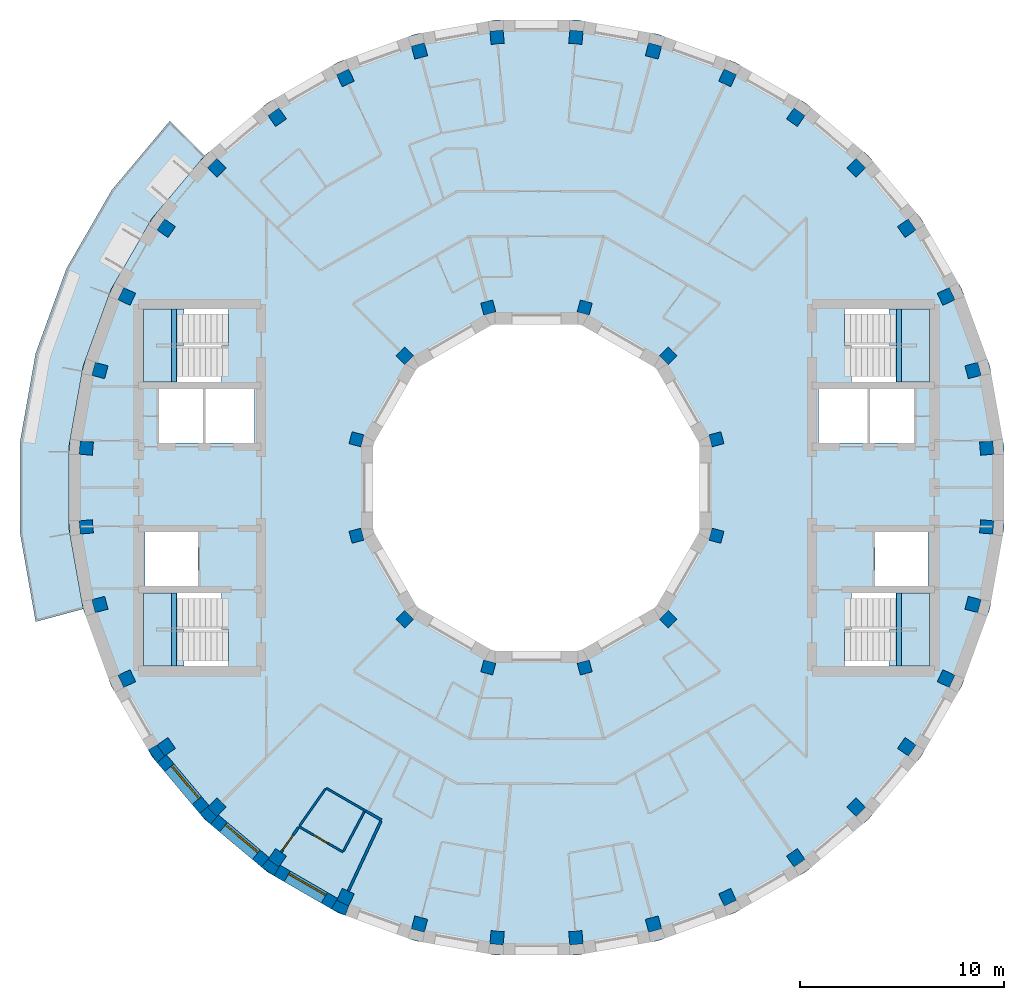
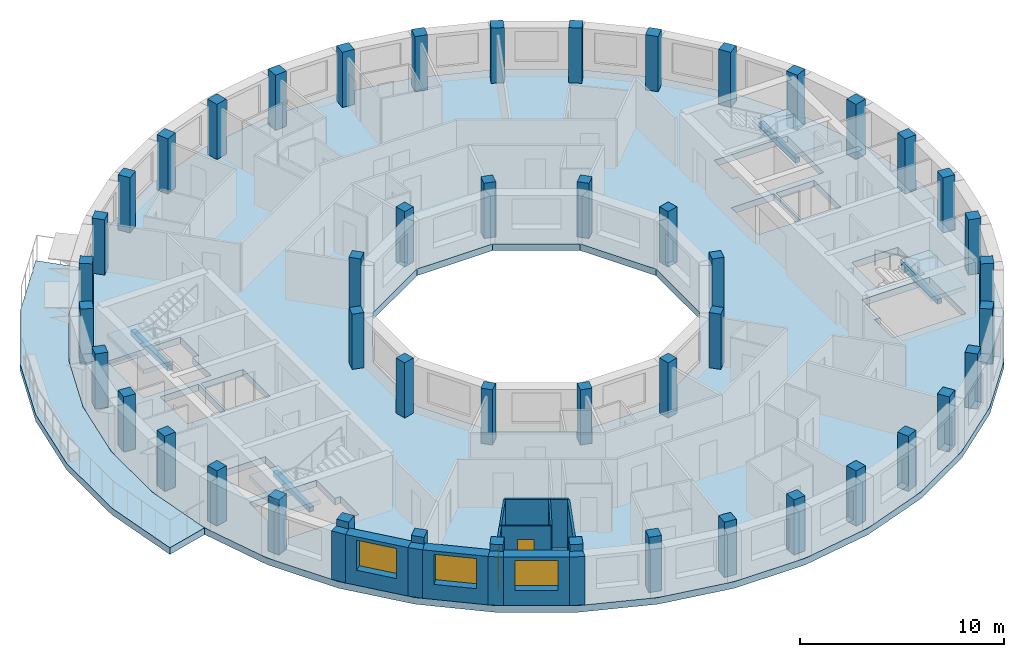
# One storey, part 1 of 10: 48 columns, 14 walls, 6 slabs, 4 beams, 3 windows, 2 doors, 5 openings, 4 elements without a shape of their own.
"""IFC4 building model written with IfcOpenShell, lengths in metres."""

from ifc_helpers import new_model, si_unit, direction, frame, frame_2d, origin, origin_2d, place, context, subcontext, project, spatial, polyline, rectangle, outline, extrude, material, layer, layer_set, material_profile, profile_set, type_object, element, fill, aggregate, save


model = new_model("IFC4")

# Units and contexts
model_context = context("Model", 3, precision=1e-05, world=origin(), true_north=direction((0.0, 1.0)))
body_context = subcontext(model_context, "Body", "Model", "MODEL_VIEW")
ifc_project = project(units=[si_unit("LENGTHUNIT", "METRE"), si_unit("AREAUNIT", "SQUARE_METRE"), si_unit("VOLUMEUNIT", "CUBIC_METRE"), si_unit("PLANEANGLEUNIT", "RADIAN"), si_unit("MASSUNIT", "GRAM", prefix="KILO")], contexts=[model_context])

# Site, building, storey
site_placement = place(None, origin())
site = spatial("IfcSite", under=ifc_project, at=site_placement, CompositionType="ELEMENT")
building_placement = place(site_placement, origin())
building = spatial("IfcBuilding", under=site, at=building_placement, Name="Saqina Gate Tower", CompositionType="ELEMENT")
storey_placement = place(building_placement, frame((0.0, 0.0, 242.89990234375)))
storey = spatial("IfcBuildingStorey", under=building, at=storey_placement, Name="L69", CompositionType="ELEMENT", Elevation=242.89990234375)

# Columns
ifc_material_1 = material(Name="Concrete C60/75", Category="concrete")
ifc_material_profile_1 = material_profile(ifc_material_1, rectangle(XDim=0.60009765625, YDim=0.60009765625, at=origin_2d()), Name="RC 600x600")
ifc_profile_set_1 = profile_set([ifc_material_profile_1], Name="Concrete C60/75")
column_type_1 = type_object("IfcColumnType", Name="STR-COL-IN-D", PredefinedType="COLUMN", material=ifc_profile_set_1)
for number, where, z_axis, x_axis, name in (
    (1, (8.821044921875, 2.363525390625, 0.0), (0.0, 0.0, 1.0), (0.965925826289, 0.258819045103, 0.0), "L69-ICL01"),
    (2, (6.45751953125, 6.45751953125, 0.0), (0.0, 0.0, 1.0), (0.707106781187, 0.707106781187, 0.0), "L69-ICL02"),
    (3, (2.363525390625, 8.821044921875, 0.0), (0.0, 0.0, 1.0), (0.258819045103, 0.965925826289, 0.0), "L69-ICL03"),
    (4, (-2.363525390625, 8.821044921875, 0.0), (0.0, 0.0, 1.0), (-0.258819045103, 0.965925826289, 0.0), "L69-ICL04"),
    (5, (-6.45751953125, 6.45751953125, 0.0), (0.0, 0.0, 1.0), (-0.707106781187, 0.707106781187, 0.0), "L69-ICL05"),
    (6, (-8.821044921875, 2.363525390625, 0.0), (0.0, 0.0, 1.0), (-0.965925826289, 0.258819045103, 0.0), "L69-ICL06"),
    (7, (-8.821044921875, -2.363525390625, 0.0), (0.0, 0.0, 1.0), (-0.965925826289, -0.258819045103, 0.0), "L69-ICL07"),
    (8, (-6.45751953125, -6.45751953125, 0.0), (0.0, 0.0, 1.0), (-0.707106781187, -0.707106781187, 0.0), "L69-ICL08"),
    (9, (-2.363525390625, -8.821044921875, 0.0), (0.0, 0.0, 1.0), (-0.258819045103, -0.965925826289, 0.0), "L69-ICL09"),
    (10, (2.363525390625, -8.821044921875, 0.0), (0.0, 0.0, 1.0), (0.258819045103, -0.965925826289, 0.0), "L69-ICL10"),
    (11, (6.45751953125, -6.45751953125, 0.0), (0.0, 0.0, 1.0), (0.707106781187, -0.707106781187, 0.0), "L69-ICL11"),
    (12, (8.821044921875, -2.363525390625, 0.0), (0.0, 0.0, 1.0), (0.965925826289, -0.258819045103, 0.0), "L69-ICL12"),
):
    element("IfcColumn", number, at=place(storey_placement, frame(where, z_axis=z_axis, x_axis=x_axis)), inside=storey, type_object=column_type_1, Name=name, PredefinedType="COLUMN", context=body_context, shape_type="SweptSolid", body=[
        extrude(rectangle(XDim=0.60009765625, YDim=0.60009765625, at=origin_2d()), origin(), (0.0, 0.0, 1.0), 3.300048828125),
    ])
ifc_material_2 = material(Name="Concrete C60/75", Category="concrete")
ifc_material_profile_2 = material_profile(ifc_material_2, rectangle(XDim=0.64990234375, YDim=0.64990234375, at=origin_2d()), Name="RC 650x650")
ifc_profile_set_2 = profile_set([ifc_material_profile_2], Name="Concrete C60/75")
column_type_2 = type_object("IfcColumnType", Name="STR-COL-OUT-D", PredefinedType="COLUMN", material=ifc_profile_set_2)
for number, where, z_axis, x_axis, name in (
    (13, (22.065673828125, 1.930419921875, 0.0), (0.0, 0.0, 1.0), (0.996194698092, 0.087155742748, 0.0), "L69-COL01"),
    (14, (21.395263671875, 5.73291015625, 0.0), (0.0, 0.0, 1.0), (0.965925826289, 0.258819045103, 0.0), "L69-COL02"),
    (15, (20.07470703125, 9.361083984375, 0.0), (0.0, 0.0, 1.0), (0.906307787037, 0.422618261741, 0.0), "L69-COL03"),
    (16, (18.144287109375, 12.704833984375, 0.0), (0.0, 0.0, 1.0), (0.819152044289, 0.573576436351, 0.0), "L69-COL04"),
    (17, (15.662353515625, 15.662353515625, 0.0), (0.0, 0.0, 1.0), (0.707106781187, 0.707106781187, 0.0), "L69-COL05"),
    (18, (12.704833984375, 18.144287109375, 0.0), (0.0, 0.0, 1.0), (0.573576436351, 0.819152044289, 0.0), "L69-COL06"),
    (19, (9.361083984375, 20.07470703125, 0.0), (0.0, 0.0, 1.0), (0.422618261741, 0.906307787037, 0.0), "L69-COL07"),
    (20, (5.73291015625, 21.395263671875, 0.0), (0.0, 0.0, 1.0), (0.258819045103, 0.965925826289, 0.0), "L69-COL08"),
    (21, (1.930419921875, 22.065673828125, 0.0), (0.0, 0.0, 1.0), (0.087155742748, 0.996194698092, 0.0), "L69-COL09"),
    (22, (-1.930419921875, 22.065673828125, 0.0), (0.0, 0.0, 1.0), (-0.087155742748, 0.996194698092, 0.0), "L69-COL10"),
    (23, (-5.73291015625, 21.395263671875, 0.0), (0.0, 0.0, 1.0), (-0.258819045103, 0.965925826289, 0.0), "L69-COL11"),
    (24, (-9.361083984375, 20.07470703125, 0.0), (0.0, 0.0, 1.0), (-0.422618261741, 0.906307787037, 0.0), "L69-COL12"),
    (25, (-12.704833984375, 18.144287109375, 0.0), (0.0, 0.0, 1.0), (-0.573576436351, 0.819152044289, 0.0), "L69-COL13"),
    (26, (-15.662353515625, 15.662353515625, 0.0), (0.0, 0.0, 1.0), (-0.707106781187, 0.707106781187, 0.0), "L69-COL14"),
    (27, (-18.144287109375, 12.704833984375, 0.0), (0.0, 0.0, 1.0), (-0.819152044289, 0.573576436351, 0.0), "L69-COL15"),
    (28, (-20.07470703125, 9.361083984375, 0.0), (0.0, 0.0, 1.0), (-0.906307787037, 0.422618261741, 0.0), "L69-COL16"),
    (29, (-21.395263671875, 5.73291015625, 0.0), (0.0, 0.0, 1.0), (-0.965925826289, 0.258819045103, 0.0), "L69-COL17"),
    (30, (-22.065673828125, 1.930419921875, 0.0), (0.0, 0.0, 1.0), (-0.996194698092, 0.087155742748, 0.0), "L69-COL18"),
    (31, (-22.065673828125, -1.930419921875, 0.0), (0.0, 0.0, 1.0), (-0.996194698092, -0.087155742748, 0.0), "L69-COL19"),
    (32, (-21.395263671875, -5.73291015625, 0.0), (0.0, 0.0, 1.0), (-0.965925826289, -0.258819045103, 0.0), "L69-COL20"),
    (33, (-20.07470703125, -9.361083984375, 0.0), (0.0, 0.0, 1.0), (-0.906307787037, -0.422618261741, 0.0), "L69-COL21"),
    (34, (-18.144287109375, -12.704833984375, 0.0), (0.0, 0.0, 1.0), (-0.819152044289, -0.573576436351, 0.0), "L69-COL22"),
    (35, (-15.662353515625, -15.662353515625, 0.0), (0.0, 0.0, 1.0), (-0.707106781187, -0.707106781187, 0.0), "L69-COL23"),
    (36, (-12.704833984375, -18.144287109375, 0.0), (0.0, 0.0, 1.0), (-0.573576436351, -0.819152044289, 0.0), "L69-COL24"),
    (37, (-9.361083984375, -20.07470703125, 0.0), (0.0, 0.0, 1.0), (-0.422618261741, -0.906307787037, 0.0), "L69-COL25"),
    (38, (-5.73291015625, -21.395263671875, 0.0), (0.0, 0.0, 1.0), (-0.258819045103, -0.965925826289, 0.0), "L69-COL26"),
    (39, (-1.930419921875, -22.065673828125, 0.0), (0.0, 0.0, 1.0), (-0.087155742748, -0.996194698092, 0.0), "L69-COL27"),
    (40, (1.930419921875, -22.065673828125, 0.0), (0.0, 0.0, 1.0), (0.087155742748, -0.996194698092, 0.0), "L69-COL28"),
    (41, (5.73291015625, -21.395263671875, 0.0), (0.0, 0.0, 1.0), (0.258819045103, -0.965925826289, 0.0), "L69-COL29"),
    (42, (9.361083984375, -20.07470703125, 0.0), (0.0, 0.0, 1.0), (0.422618261741, -0.906307787037, 0.0), "L69-COL30"),
    (43, (12.704833984375, -18.144287109375, 0.0), (0.0, 0.0, 1.0), (0.573576436351, -0.819152044289, 0.0), "L69-COL31"),
    (44, (15.662353515625, -15.662353515625, 0.0), (0.0, 0.0, 1.0), (0.707106781187, -0.707106781187, 0.0), "L69-COL32"),
    (45, (18.144287109375, -12.704833984375, 0.0), (0.0, 0.0, 1.0), (0.819152044289, -0.573576436351, 0.0), "L69-COL33"),
    (46, (20.07470703125, -9.361083984375, 0.0), (0.0, 0.0, 1.0), (0.906307787037, -0.422618261741, 0.0), "L69-COL34"),
    (47, (21.395263671875, -5.73291015625, 0.0), (0.0, 0.0, 1.0), (0.965925826289, -0.258819045103, 0.0), "L69-COL35"),
    (48, (22.065673828125, -1.930419921875, 0.0), (0.0, 0.0, 1.0), (0.996194698092, -0.087155742748, 0.0), "L69-COL36"),
):
    element("IfcColumn", number, at=place(storey_placement, frame(where, z_axis=z_axis, x_axis=x_axis)), inside=storey, type_object=column_type_2, Name=name, PredefinedType="COLUMN", context=body_context, shape_type="SweptSolid", body=[
        extrude(rectangle(XDim=0.64990234375, YDim=0.64990234375, at=origin_2d()), origin(), (0.0, 0.0, 1.0), 3.300048828125),
    ])

# Beams
ifc_material_3 = material(Name="Concrete C40/50", Category="concrete")
ifc_material_profile_3 = material_profile(ifc_material_3, rectangle(XDim=0.25, YDim=0.300048828125, at=origin_2d()), Name="STAIR LANDING BEAM")
ifc_profile_set_3 = profile_set([ifc_material_profile_3], Name="Concrete C40/50")
beam_type = type_object("IfcBeamType", Name="STAIR LANDING BEAM", PredefinedType="BEAM", material=ifc_profile_set_3)
for number, where, z_axis, x_axis, name in (
    (49, (17.77001953125, 5.175048828125, 1.25), (0.0, 1.0, 0.0), (-1.0, 0.0, 0.0), "EXIT STAIR 1 LANDING BEAM"),
    (50, (17.77001953125, -8.75, 1.25), (0.0, 1.0, 0.0), (-1.0, 0.0, 0.0), "EXIT STAIR 2 LANDING BEAM"),
    (51, (-17.77001953125, 5.175048828125, 1.25), (0.0, 1.0, 0.0), (-1.0, 0.0, 0.0), "EXIT STAIR 3 LANDING BEAM"),
    (52, (-17.77001953125, -8.75, 1.25), (0.0, 1.0, 0.0), (-1.0, 0.0, 0.0), "EXIT STAIR 4 LANDING BEAM"),
):
    element("IfcBeam", number, at=place(storey_placement, frame(where, z_axis=z_axis, x_axis=x_axis)), inside=storey, type_object=beam_type, Name=name, PredefinedType="BEAM", context=body_context, shape_type="SweptSolid", body=[
        extrude(rectangle(XDim=0.25, YDim=0.300048828125, at=origin_2d()), origin(), (0.0, 0.0, 1.0), 3.574951171875),
    ])

# Stair, slab
ifc_material_4 = material(Name="Concrete C40/50", Category="concrete")
stair_type = type_object("IfcStairType", Name="EXIT STAIR", PredefinedType="HALF_TURN_STAIR", material=ifc_material_4)
stair_1_placement = place(storey_placement, origin())
stair_1 = element("IfcStair", 53, at=stair_1_placement, inside=storey, type_object=stair_type, Name="EXIT STAIR 1", PredefinedType="HALF_TURN_STAIR")
ifc_material_5 = material(Name="Concrete C40/50", Category="concrete")
ifc_layer_1 = layer(ifc_material_5, 0.25)
ifc_layer_set_1 = layer_set([ifc_layer_1], Name="Concrete C40/50")
slab_type_1 = type_object("IfcSlabType", Name="EXIT STAIR LANDING", PredefinedType="LANDING", material=ifc_layer_set_1)
slab_1_placement = place(storey_placement, frame((0.0, 0.0, 1.400146484375)))
slab_1 = element("IfcSlab", 54, at=slab_1_placement, type_object=slab_type_1, Name="EXIT STAIR 1 LANDING 1", PredefinedType="LANDING", context=body_context, shape_type="SweptSolid", body=[
    extrude(outline(polyline([(19.25, 8.75), (19.25, 5.175048828125), (17.614990234375, 5.175048828125), (17.614990234375, 6.96240234375), (17.284423828125, 6.96240234375), (17.284423828125, 8.75), (17.614990234375, 8.75), (17.6201171875, 8.75), (19.25, 8.75)])), origin(), (0.0, 0.0, 1.0), 0.25),
])
aggregate(stair_1, [slab_1])

stair_2_placement = place(storey_placement, origin())
stair_2 = element("IfcStair", 55, at=stair_2_placement, inside=storey, type_object=stair_type, Name="EXIT STAIR 2", PredefinedType="HALF_TURN_STAIR")
slab_2_placement = place(storey_placement, frame((0.0, 0.0, 1.400146484375)))
slab_2 = element("IfcSlab", 56, at=slab_2_placement, type_object=slab_type_1, Name="EXIT STAIR 2 LANDING 1", PredefinedType="LANDING", context=body_context, shape_type="SweptSolid", body=[
    extrude(outline(polyline([(17.284423828125, -8.75), (17.284423828125, -6.96240234375), (17.614990234375, -6.96240234375), (17.614990234375, -5.175048828125), (19.25, -5.175048828125), (19.25, -8.75), (17.6201171875, -8.75), (17.614990234375, -8.75), (17.284423828125, -8.75)])), origin(), (0.0, 0.0, 1.0), 0.25),
])
aggregate(stair_2, [slab_2])

stair_3_placement = place(storey_placement, origin())
stair_3 = element("IfcStair", 57, at=stair_3_placement, inside=storey, type_object=stair_type, Name="EXIT STAIR 3", PredefinedType="HALF_TURN_STAIR")
slab_3_placement = place(storey_placement, frame((0.0, 0.0, 1.400146484375)))
slab_3 = element("IfcSlab", 58, at=slab_3_placement, type_object=slab_type_1, Name="EXIT STAIR 3 LANDING 1", PredefinedType="LANDING", context=body_context, shape_type="SweptSolid", body=[
    extrude(outline(polyline([(-17.614990234375, 5.175048828125), (-19.25, 5.175048828125), (-19.25, 8.75), (-17.6201171875, 8.75), (-17.614990234375, 8.75), (-17.284423828125, 8.75), (-17.284423828125, 6.96240234375), (-17.614990234375, 6.96240234375), (-17.614990234375, 5.175048828125)])), origin(), (0.0, 0.0, 1.0), 0.25),
])
aggregate(stair_3, [slab_3])

stair_4_placement = place(storey_placement, origin())
stair_4 = element("IfcStair", 59, at=stair_4_placement, inside=storey, type_object=stair_type, Name="EXIT STAIR 4", PredefinedType="HALF_TURN_STAIR")
slab_4_placement = place(storey_placement, frame((0.0, 0.0, 1.400146484375)))
slab_4 = element("IfcSlab", 60, at=slab_4_placement, type_object=slab_type_1, Name="EXIT STAIR 4 LANDING 1", PredefinedType="LANDING", context=body_context, shape_type="SweptSolid", body=[
    extrude(outline(polyline([(-17.284423828125, -6.96240234375), (-17.284423828125, -8.75), (-17.614990234375, -8.75), (-17.6201171875, -8.75), (-19.25, -8.75), (-19.25, -5.175048828125), (-17.614990234375, -5.175048828125), (-17.614990234375, -6.96240234375), (-17.284423828125, -6.96240234375)])), origin(), (0.0, 0.0, 1.0), 0.25),
])
aggregate(stair_4, [slab_4])

# Slabs
ifc_material_6 = material(Name="Concrete C40/50", Category="concrete")
ifc_layer_2 = layer(ifc_material_6, 0.39990234375)
ifc_layer_set_2 = layer_set([ifc_layer_2], Name="Concrete C40/50")
slab_type_2 = type_object("IfcSlabType", Name="STR-POST-TENSIONED FLAT PLATE FLOOR-400", PredefinedType="FLOOR", material=ifc_layer_set_2)
slab_5_placement = place(storey_placement, frame((0.0, 0.0, -0.39990234375)))
element("IfcSlab", 61, at=slab_5_placement, inside=storey, type_object=slab_type_2, Name="L69-SLB01", PredefinedType="FLOOR", context=body_context, shape_type="SweptSolid", body=[
    extrude(outline(polyline([(22.21630859375, -5.952880859375), (22.91259765625, -2.004638671875), (22.91259765625, 2.004638671875), (22.21630859375, 5.952880859375), (20.844970703125, 9.72021484375), (18.840576171875, 13.192138671875), (16.263427734375, 16.263427734375), (13.192138671875, 18.840576171875), (9.72021484375, 20.844970703125), (5.952880859375, 22.21630859375), (2.004638671875, 22.91259765625), (-2.004638671875, 22.91259765625), (-5.952880859375, 22.21630859375), (-9.72021484375, 20.844970703125), (-13.192138671875, 18.840576171875), (-16.263427734375, 16.263427734375), (-18.840576171875, 13.192138671875), (-20.844970703125, 9.72021484375), (-22.21630859375, 5.952880859375), (-22.91259765625, 2.004638671875), (-22.91259765625, -2.004638671875), (-22.21630859375, -5.952880859375), (-20.844970703125, -9.72021484375), (-18.840576171875, -13.192138671875), (-16.263427734375, -16.263427734375), (-13.192138671875, -18.840576171875), (-9.72021484375, -20.844970703125), (-5.952880859375, -22.21630859375), (-2.004638671875, -22.91259765625), (2.004638671875, -22.91259765625), (5.952880859375, -22.21630859375), (9.72021484375, -20.844970703125), (13.192138671875, -18.840576171875), (16.263427734375, -16.263427734375), (18.840576171875, -13.192138671875), (20.844970703125, -9.72021484375), (22.21630859375, -5.952880859375)]), holes=[polyline([(2.1435546875, 8.0), (5.8564453125, 5.8564453125), (8.0, 2.1435546875), (8.0, -2.1435546875), (5.8564453125, -5.8564453125), (2.1435546875, -8.0), (-2.1435546875, -8.0), (-5.8564453125, -5.8564453125), (-8.0, -2.1435546875), (-8.0, 2.1435546875), (-5.8564453125, 5.8564453125), (-2.1435546875, 8.0), (2.1435546875, 8.0)]), polyline([(-15.10498046875, -8.75), (-19.25, -8.75), (-19.25, -6.96240234375), (-19.25, -5.175048828125), (-15.435546875, -5.175048828125), (-15.435546875, -6.96240234375), (-15.10498046875, -6.96240234375), (-15.10498046875, -8.75)]), polyline([(-16.590087890625, -2.175048828125), (-16.590087890625, -4.824951171875), (-19.18994140625, -4.824951171875), (-19.18994140625, -2.175048828125), (-16.590087890625, -2.175048828125)]), polyline([(-16.340087890625, 4.824951171875), (-16.340087890625, 2.175048828125), (-18.5, 2.175048828125), (-18.5, 4.824951171875), (-16.340087890625, 4.824951171875)]), polyline([(-13.81005859375, 4.824951171875), (-13.81005859375, 2.175048828125), (-16.219970703125, 2.175048828125), (-16.219970703125, 4.824951171875), (-13.81005859375, 4.824951171875)]), polyline([(-19.25, 6.96240234375), (-19.25, 8.75), (-15.10498046875, 8.75), (-15.10498046875, 6.96240234375), (-15.435546875, 6.96240234375), (-15.435546875, 5.175048828125), (-19.25, 5.175048828125), (-19.25, 6.96240234375)]), polyline([(15.10498046875, -8.75), (15.10498046875, -6.96240234375), (15.435546875, -6.96240234375), (15.435546875, -5.175048828125), (19.25, -5.175048828125), (19.25, -6.96240234375), (19.25, -8.75), (15.10498046875, -8.75)]), polyline([(19.18994140625, -2.175048828125), (19.18994140625, -4.824951171875), (16.590087890625, -4.824951171875), (16.590087890625, -2.175048828125), (19.18994140625, -2.175048828125)]), polyline([(16.219970703125, 4.824951171875), (16.219970703125, 2.175048828125), (13.81005859375, 2.175048828125), (13.81005859375, 4.824951171875), (16.219970703125, 4.824951171875)]), polyline([(18.5, 4.824951171875), (18.5, 2.175048828125), (16.340087890625, 2.175048828125), (16.340087890625, 4.824951171875), (18.5, 4.824951171875)]), polyline([(15.435546875, 6.96240234375), (15.10498046875, 6.96240234375), (15.10498046875, 8.75), (19.25, 8.75), (19.25, 6.96240234375), (19.25, 5.175048828125), (15.435546875, 5.175048828125), (15.435546875, 6.96240234375)])]), origin(), (0.0, 0.0, 1.0), 0.39990234375),
])
ifc_material_7 = material(Name="Concrete C40/50", Category="concrete")
ifc_layer_3 = layer(ifc_material_7, 0.39990234375)
ifc_layer_set_3 = layer_set([ifc_layer_3], Name="Concrete C40/50")
slab_type_3 = type_object("IfcSlabType", Name="STR-POST-TENSIONED FLAT PLATE TERRACE-400", PredefinedType="FLOOR", material=ifc_layer_set_3)
slab_6_placement = place(storey_placement, frame((0.0, 0.0, -0.39990234375)))
element("IfcSlab", 62, at=slab_6_placement, inside=storey, type_object=slab_type_3, Name="L69-TRS01", PredefinedType="FLOOR", context=body_context, shape_type="SweptSolid", body=[
    extrude(outline(polyline([(-16.263427734375, 16.263427734375), (-18.840576171875, 13.192138671875), (-20.844970703125, 9.72021484375), (-22.21630859375, 5.952880859375), (-22.91259765625, 2.004638671875), (-22.91259765625, -2.004638671875), (-22.21630859375, -5.952880859375), (-24.54345703125, -6.576416015625), (-25.3125, -2.214599609375), (-25.3125, 2.214599609375), (-24.54345703125, 6.576416015625), (-23.028564453125, 10.73828125), (-20.81396484375, 14.57421875), (-17.967041015625, 17.967041015625), (-16.263427734375, 16.263427734375)])), origin(), (0.0, 0.0, 1.0), 0.39990234375),
])

# Walls
ifc_material_8 = material(Name="Brick masonry (buff)", Category="masonry")
wall_type_1 = type_object("IfcWallType", Name="BRICK PIER COPING BUFF", PredefinedType="SOLIDWALL", material=ifc_material_8)
wall_1_placement = place(storey_placement, origin())
element("IfcWall", 63, at=wall_1_placement, inside=storey, type_object=wall_type_1, Name="Pier cap L69 column 22", PredefinedType="SOLIDWALL", context=body_context, shape_type="SweptSolid", body=[
    extrude(outline(polyline([(-19.02978515625, -12.8642578125), (-18.59716796875, -13.482421875), (-18.137451171875, -13.0966796875), (-18.22412109375, -13.157470703125), (-18.596923828125, -12.625), (-18.51025390625, -12.564208984375), (-19.02978515625, -12.8642578125)])), origin(), (0.0, 0.0, 1.0), 2.900146484375),
])
wall_2_placement = place(storey_placement, origin())
element("IfcWall", 64, at=wall_2_placement, inside=storey, type_object=wall_type_1, Name="Pier cap L69 column 23", PredefinedType="SOLIDWALL", context=body_context, shape_type="SweptSolid", body=[
    extrude(outline(polyline([(-15.973388671875, -16.5068359375), (-15.587646484375, -16.04736328125), (-15.662353515625, -16.1220703125), (-16.1220703125, -15.662353515625), (-16.04736328125, -15.587646484375), (-16.5068359375, -15.973388671875), (-15.973388671875, -16.5068359375)])), origin(), (0.0, 0.0, 1.0), 2.900146484375),
])
wall_3_placement = place(storey_placement, origin())
element("IfcWall", 65, at=wall_3_placement, inside=storey, type_object=wall_type_1, Name="Pier cap L69 column 24", PredefinedType="SOLIDWALL", context=body_context, shape_type="SweptSolid", body=[
    extrude(outline(polyline([(-12.8642578125, -19.02978515625), (-12.564208984375, -18.51025390625), (-12.625, -18.596923828125), (-13.157470703125, -18.22412109375), (-13.0966796875, -18.137451171875), (-13.482421875, -18.59716796875), (-12.8642578125, -19.02978515625)])), origin(), (0.0, 0.0, 1.0), 2.900146484375),
])
wall_4_placement = place(storey_placement, origin())
element("IfcWall", 66, at=wall_4_placement, inside=storey, type_object=wall_type_1, Name="Pier cap L69 column 25", PredefinedType="SOLIDWALL", context=body_context, shape_type="SweptSolid", body=[
    extrude(outline(polyline([(-10.048095703125, -20.65576171875), (-9.3642578125, -20.974609375), (-9.1591796875, -20.410888671875), (-9.203857421875, -20.506591796875), (-9.79296875, -20.23193359375), (-9.748291015625, -20.135986328125), (-10.048095703125, -20.65576171875)])), origin(), (0.0, 0.0, 1.0), 2.900146484375),
])

# Wall, opening, window
ifc_material_9 = material(Name="Brick masonry (buff)", Category="masonry")
ifc_layer_4 = layer(ifc_material_9, 0.60009765625)
ifc_layer_set_4 = layer_set([ifc_layer_4], Name="FW-BRICK-BUFF")
wall_type_2 = type_object("IfcWallType", Name="FW-BRICK-BUFF", PredefinedType="SOLIDWALL", material=ifc_layer_set_4)
wall_5_placement = place(storey_placement, frame((-18.3671875, -13.28955078125, 0.0), z_axis=(0.0, 0.0, 1.0), x_axis=(0.64277291405, -0.766056773982, 0.0)))
wall_5 = element("IfcWall", 67, at=wall_5_placement, inside=storey, type_object=wall_type_2, Name="Facade wall L69 facet 22", PredefinedType="SOLIDWALL", context=body_context, shape_type="SweptSolid", body=[
    extrude(rectangle(XDim=3.251708984375, YDim=0.60009765625, at=frame_2d((1.6259765625, 0.0))), origin(), (0.0, 0.0, 1.0), 2.900146484375),
])
opening_1_placement = place(wall_5_placement, frame((0.57568359375, 0.0, 0.89990234375)))
opening_1 = element("IfcOpeningElement", 68, at=opening_1_placement, cuts=wall_5, Name="Opening G20-W13", PredefinedType="OPENING", context=body_context, shape_type="SweptSolid", body=[
    extrude(rectangle(XDim=2.10009765625, YDim=1.800048828125, at=frame_2d((1.050048828125, 0.89990234375))), frame((0.0, 0.31201171875, 0.0), z_axis=(0.0, -1.0, 0.0), x_axis=(1.0, 0.0, 0.0)), (0.0, 0.0, 1.0), 0.6240234375),
])
ifc_material_10 = material(Name="Aluminium glazing", Category="aluminium")
window_type = type_object("IfcWindowType", Name="WN-D", PartitioningType="SINGLE_PANEL", PredefinedType="WINDOW", material=ifc_material_10)
window_1_placement = place(opening_1_placement, origin())
window_1 = element("IfcWindow", 69, at=window_1_placement, inside=storey, type_object=window_type, Name="Window L69 facet 22", OverallHeight=1.800048828125, OverallWidth=2.10009765625, PartitioningType="SINGLE_PANEL", PredefinedType="WINDOW", context=body_context, shape_type="SweptSolid", body=[
    extrude(rectangle(XDim=2.10009765625, YDim=1.800048828125, at=frame_2d((1.050048828125, 0.89990234375))), frame((0.0, 0.179931640625, 0.0), z_axis=(0.0, -1.0, 0.0), x_axis=(1.0, 0.0, 0.0)), (0.0, 0.0, 1.0), 0.06005859375),
])
fill(opening_1, window_1)

wall_6_placement = place(storey_placement, frame((-15.780517578125, -16.277099609375, 0.0), z_axis=(0.0, 0.0, 1.0), x_axis=(0.766056773982, -0.64277291405, 0.0)))
wall_6 = element("IfcWall", 70, at=wall_6_placement, inside=storey, type_object=wall_type_2, Name="Facade wall L69 facet 23", PredefinedType="SOLIDWALL", context=body_context, shape_type="SweptSolid", body=[
    extrude(rectangle(XDim=3.251708984375, YDim=0.60009765625, at=frame_2d((1.6259765625, 0.0))), origin(), (0.0, 0.0, 1.0), 2.900146484375),
])
opening_2_placement = place(wall_6_placement, frame((0.57568359375, 0.0, 0.89990234375)))
opening_2 = element("IfcOpeningElement", 71, at=opening_2_placement, cuts=wall_6, Name="Opening G20-W14", PredefinedType="OPENING", context=body_context, shape_type="SweptSolid", body=[
    extrude(rectangle(XDim=2.10009765625, YDim=1.800048828125, at=frame_2d((1.050048828125, 0.89990234375))), frame((0.0, 0.31201171875, 0.0), z_axis=(0.0, -1.0, 0.0), x_axis=(1.0, 0.0, 0.0)), (0.0, 0.0, 1.0), 0.6240234375),
])
window_2_placement = place(opening_2_placement, origin())
window_2 = element("IfcWindow", 72, at=window_2_placement, inside=storey, type_object=window_type, Name="Window L69 facet 23", OverallHeight=1.800048828125, OverallWidth=2.10009765625, PartitioningType="SINGLE_PANEL", PredefinedType="WINDOW", context=body_context, shape_type="SweptSolid", body=[
    extrude(rectangle(XDim=2.10009765625, YDim=1.800048828125, at=frame_2d((1.050048828125, 0.89990234375))), frame((0.0, 0.179931640625, 0.0), z_axis=(0.0, -1.0, 0.0), x_axis=(1.0, 0.0, 0.0)), (0.0, 0.0, 1.0), 0.06005859375),
])
fill(opening_2, window_2)

wall_7_placement = place(storey_placement, frame((-12.71435546875, -18.77001953125, 0.0), z_axis=(0.0, 0.0, 1.0), x_axis=(0.866016800201, -0.500014901547, 0.0)))
wall_7 = element("IfcWall", 73, at=wall_7_placement, inside=storey, type_object=wall_type_2, Name="Facade wall L69 facet 24", PredefinedType="SOLIDWALL", context=body_context, shape_type="SweptSolid", body=[
    extrude(rectangle(XDim=3.251953125, YDim=0.60009765625, at=frame_2d((1.6259765625, 0.0))), origin(), (0.0, 0.0, 1.0), 2.900146484375),
])
opening_3_placement = place(wall_7_placement, frame((0.57568359375, 0.0, 0.89990234375)))
opening_3 = element("IfcOpeningElement", 74, at=opening_3_placement, cuts=wall_7, Name="Opening G20-W15", PredefinedType="OPENING", context=body_context, shape_type="SweptSolid", body=[
    extrude(rectangle(XDim=2.10009765625, YDim=1.800048828125, at=frame_2d((1.050048828125, 0.89990234375))), frame((0.0, 0.31201171875, 0.0), z_axis=(0.0, -1.0, 0.0), x_axis=(1.0, 0.0, 0.0)), (0.0, 0.0, 1.0), 0.6240234375),
])
window_3_placement = place(opening_3_placement, origin())
window_3 = element("IfcWindow", 75, at=window_3_placement, inside=storey, type_object=window_type, Name="Window L69 facet 24", OverallHeight=1.800048828125, OverallWidth=2.10009765625, PartitioningType="SINGLE_PANEL", PredefinedType="WINDOW", context=body_context, shape_type="SweptSolid", body=[
    extrude(rectangle(XDim=2.10009765625, YDim=1.800048828125, at=frame_2d((1.050048828125, 0.89990234375))), frame((0.0, 0.179931640625, 0.0), z_axis=(0.0, -1.0, 0.0), x_axis=(1.0, 0.0, 0.0)), (0.0, 0.0, 1.0), 0.06005859375),
])
fill(opening_3, window_3)

# Wall, opening, door
ifc_material_11 = material(Name="Gypsum board on steel studs, 100 mm", Category="steel")
ifc_layer_5 = layer(ifc_material_11, 0.10009765625)
ifc_layer_set_5 = layer_set([ifc_layer_5], Name="PARTITION 100")
wall_type_3 = type_object("IfcWallType", Name="PARTITION 100", PredefinedType="PARTITIONING", material=ifc_layer_set_5)
wall_8_placement = place(storey_placement, frame((-11.637939453125, -16.6201171875, 0.0), z_axis=(0.0, 0.0, 1.0), x_axis=(0.865981260576, -0.500076450486, 0.0)))
wall_8 = element("IfcWall", 76, at=wall_8_placement, inside=storey, type_object=wall_type_3, Name="PARTITION PW3-16", PredefinedType="PARTITIONING", context=body_context, shape_type="SweptSolid", body=[
    extrude(rectangle(XDim=2.4873046875, YDim=0.10009765625, at=frame_2d((1.24365234375, 0.0))), origin(), (0.0, 0.0, 1.0), 2.900146484375),
])
opening_4_placement = place(wall_8_placement, frame((0.84375, 0.0, 0.0)))
opening_4 = element("IfcOpeningElement", 77, at=opening_4_placement, cuts=wall_8, Name="Opening G20-D24", PredefinedType="OPENING", context=body_context, shape_type="SweptSolid", body=[
    extrude(rectangle(XDim=0.800048828125, YDim=2.10009765625, at=frame_2d((0.39990234375, 1.050048828125))), frame((0.0, 0.06201171875, 0.0), z_axis=(0.0, -1.0, 0.0), x_axis=(1.0, 0.0, 0.0)), (0.0, 0.0, 1.0), 0.1240234375),
])
ifc_material_12 = material(Name="Timber door leaf, 800 mm", Category="wood")
door_type_1 = type_object("IfcDoorType", Name="DOOR 800 TIMBER", OperationType="SINGLE_SWING_LEFT", PredefinedType="DOOR", material=ifc_material_12)
door_1_placement = place(opening_4_placement, frame((0.800048828125, 0.0, 0.0), z_axis=(0.0, 0.0, 1.0), x_axis=(-1.0, 0.0, 0.0)))
door_1 = element("IfcDoor", 78, at=door_1_placement, inside=storey, type_object=door_type_1, Name="DOOR G20-D24", OperationType="SINGLE_SWING_RIGHT", OverallHeight=2.10009765625, OverallWidth=0.800048828125, PredefinedType="DOOR", context=body_context, shape_type="SweptSolid", body=[
    extrude(rectangle(XDim=0.800048828125, YDim=2.10009765625, at=frame_2d((0.39990234375, 1.050048828125))), frame((0.0, 0.02490234375, 0.0), z_axis=(0.0, -1.0, 0.0), x_axis=(1.0, 0.0, 0.0)), (0.0, 0.0, 1.0), 0.050048828125),
])
fill(opening_4, door_1)

# Walls
wall_9_placement = place(storey_placement, frame((-10.311279296875, -14.72998046875, 0.0), z_axis=(0.0, 0.0, 1.0), x_axis=(0.866073680794, -0.499916372443, 0.0)))
element("IfcWall", 79, at=wall_9_placement, inside=storey, type_object=wall_type_3, Name="PARTITION PW3-17", PredefinedType="PARTITIONING", context=body_context, shape_type="SweptSolid", body=[
    extrude(rectangle(XDim=2.25244140625, YDim=0.10009765625, at=frame_2d((1.126220703125, 0.0))), origin(), (0.0, 0.0, 1.0), 2.900146484375),
])
wall_10_placement = place(storey_placement, frame((-11.609375, -16.5791015625, 0.0), z_axis=(0.0, 0.0, 1.0), x_axis=(0.574033341126, 0.818831926146, 0.0)))
element("IfcWall", 80, at=wall_10_placement, inside=storey, type_object=wall_type_3, Name="PARTITION PW3-42", PredefinedType="PARTITIONING", context=body_context, shape_type="SweptSolid", body=[
    extrude(rectangle(XDim=2.208984375, YDim=0.10009765625, at=frame_2d((1.1044921875, 0.0))), origin(), (0.0, 0.0, 1.0), 2.900146484375),
])
wall_11_placement = place(storey_placement, frame((-9.46044921875, -17.81982421875, 0.0), z_axis=(0.0, 0.0, 1.0), x_axis=(0.469111743442, 0.883138818174, 0.0)))
element("IfcWall", 81, at=wall_11_placement, inside=storey, type_object=wall_type_3, Name="PARTITION PW3-43", PredefinedType="PARTITIONING", context=body_context, shape_type="SweptSolid", body=[
    extrude(rectangle(XDim=2.189453125, YDim=0.10009765625, at=frame_2d((1.0947265625, 0.0))), origin(), (0.0, 0.0, 1.0), 2.900146484375),
])
ifc_material_13 = material(Name="Gypsum board on steel studs, 125 mm, fire rated", Category="steel")
ifc_layer_6 = layer(ifc_material_13, 0.125)
ifc_layer_set_6 = layer_set([ifc_layer_6], Name="PARTITION EI 30 125")
wall_type_4 = type_object("IfcWallType", Name="PARTITION EI 30 125", PredefinedType="PARTITIONING", material=ifc_layer_set_6)
wall_12_placement = place(storey_placement, frame((-8.360595703125, -15.85595703125, 0.0), z_axis=(0.0, 0.0, 1.0), x_axis=(0.865838315616, -0.500323906295, 0.0)))
element("IfcWall", 82, at=wall_12_placement, inside=storey, type_object=wall_type_4, Name="PARTITION PW1-12", PredefinedType="PARTITIONING", context=body_context, shape_type="SweptSolid", body=[
    extrude(rectangle(XDim=0.87841796875, YDim=0.125, at=frame_2d((0.439208984375, 0.0))), origin(), (0.0, 0.0, 1.0), 2.900146484375),
])

# Wall, opening, door
wall_13_placement = place(storey_placement, frame((-12.5126953125, -17.86962890625, 0.0), z_axis=(0.0, 0.0, 1.0), x_axis=(0.573384599987, 0.819286336086, 0.0)))
wall_13 = element("IfcWall", 83, at=wall_13_placement, inside=storey, type_object=wall_type_4, Name="PARTITION PW1-33", PredefinedType="PARTITIONING", context=body_context, shape_type="SweptSolid", body=[
    extrude(rectangle(XDim=1.475341796875, YDim=0.125, at=frame_2d((0.73779296875, 0.0))), origin(), (0.0, 0.0, 1.0), 2.900146484375),
])
opening_5_placement = place(wall_13_placement, frame((0.122802734375, 0.0, 0.0)))
opening_5 = element("IfcOpeningElement", 84, at=opening_5_placement, cuts=wall_13, Name="Opening G20-D23", PredefinedType="OPENING", context=body_context, shape_type="SweptSolid", body=[
    extrude(rectangle(XDim=0.89990234375, YDim=2.10009765625, at=frame_2d((0.449951171875, 1.050048828125))), frame((0.0, 0.074462890625, 0.0), z_axis=(0.0, -1.0, 0.0), x_axis=(1.0, 0.0, 0.0)), (0.0, 0.0, 1.0), 0.14892578125),
])
ifc_material_14 = material(Name="Fire door leaf EI 30, 900 mm")
door_type_2 = type_object("IfcDoorType", Name="DOOR 900 EI 30", OperationType="SINGLE_SWING_LEFT", PredefinedType="DOOR", material=ifc_material_14)
door_2_placement = place(opening_5_placement, origin())
door_2 = element("IfcDoor", 85, at=door_2_placement, inside=storey, type_object=door_type_2, Name="DOOR G20-D23", OperationType="SINGLE_SWING_LEFT", OverallHeight=2.10009765625, OverallWidth=0.89990234375, PredefinedType="DOOR", context=body_context, shape_type="SweptSolid", body=[
    extrude(rectangle(XDim=0.89990234375, YDim=2.10009765625, at=frame_2d((0.449951171875, 1.050048828125))), frame((0.0, 0.02490234375, 0.0), z_axis=(0.0, -1.0, 0.0), x_axis=(1.0, 0.0, 0.0)), (0.0, 0.0, 1.0), 0.050048828125),
])
fill(opening_5, door_2)

# Wall
wall_14_placement = place(storey_placement, frame((-9.22021484375, -19.770751953125, 0.0), z_axis=(0.0, 0.0, 1.0), x_axis=(0.422998854506, 0.906130216408, 0.0)))
element("IfcWall", 86, at=wall_14_placement, inside=storey, type_object=wall_type_4, Name="PARTITION PW1-34", PredefinedType="PARTITIONING", context=body_context, shape_type="SweptSolid", body=[
    extrude(rectangle(XDim=3.771728515625, YDim=0.125, at=frame_2d((1.8857421875, 0.0))), origin(), (0.0, 0.0, 1.0), 2.900146484375),
])

save(model, "model.ifc")
